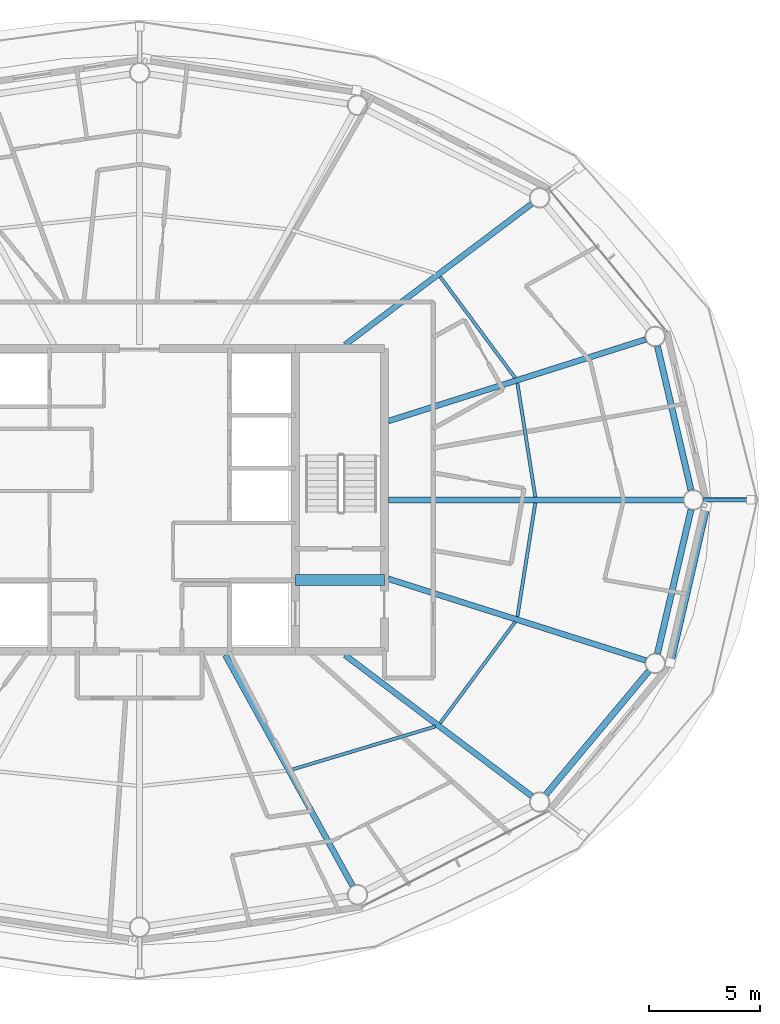
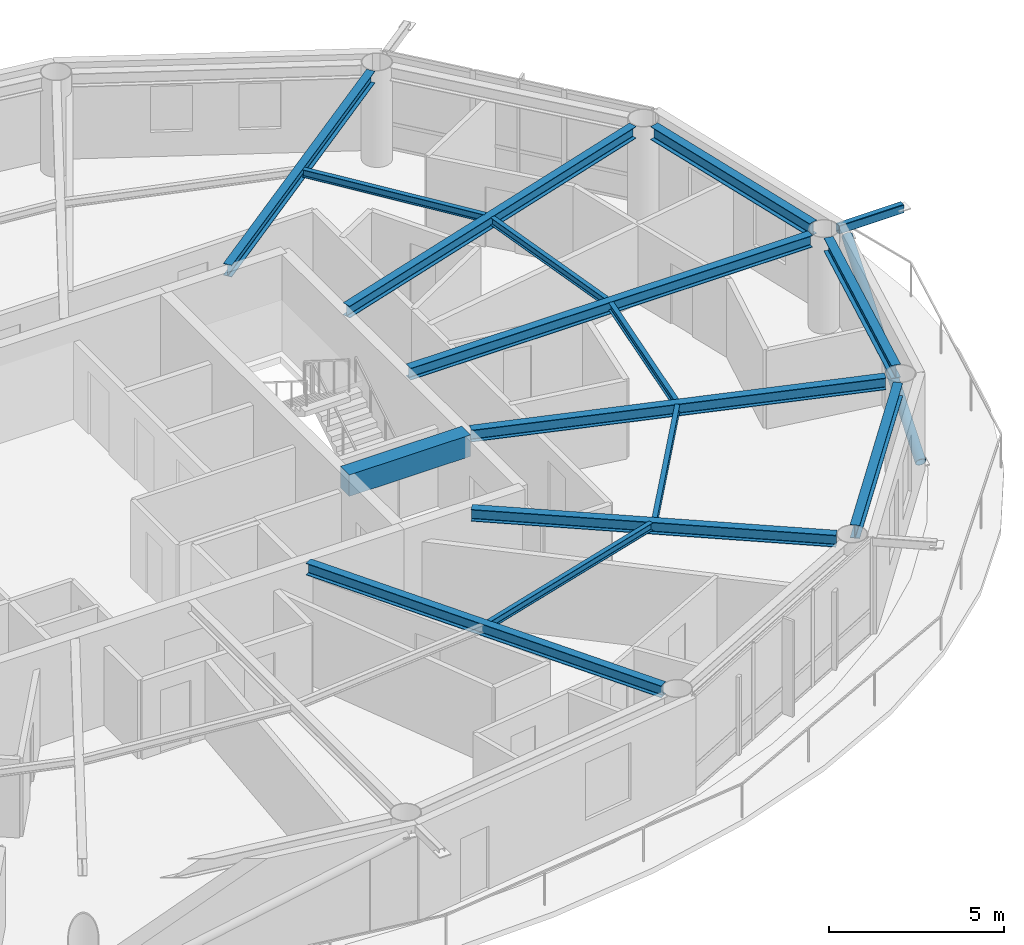
# One storey, part 6 of 22: 15 beams, 2 members.
"""IFC4 building model written with IfcOpenShell, lengths in metres."""

import ifcopenshell
import ifcopenshell.guid

model = None  # the IFC model being written
_history = None  # IfcOwnerHistory: only IFC2X3 demands one
_inside = {}  # id of a spatial element -> (the spatial element, [elements in it])
_under = {}  # id of a project, library or spatial element -> (it, [spatial elements below it])
_declared = {}  # id of a project -> (the project, [libraries it declares])
_typed = {}  # id of a type object -> (the type object, [elements of that type])
_made_of = {}  # id of a material, layer set ... -> (it, [elements and type objects made of it])


def new_model(schema):
    """Start an empty IFC model of exactly this schema.

    Asked for "IFC4X3", IfcOpenShell would pick the latest addendum, in which some entities
    have other attributes; the version numbers below select the first issue.
    IFC2X3 requires an IfcOwnerHistory on every rooted entity: one is made here for all.
    """
    global model, _history
    if schema == "IFC4X3":
        model = ifcopenshell.file(schema_version=(4, 3, 0, 0))
    else:
        model = ifcopenshell.file(schema=schema)
    _inside.clear()
    _under.clear()
    _declared.clear()
    _typed.clear()
    _made_of.clear()
    _history = None
    if model.schema == "IFC2X3":
        org = make("IfcOrganization", Name="unknown")
        user = make(
            "IfcPersonAndOrganization",
            ThePerson=make("IfcPerson", FamilyName="unknown"),
            TheOrganization=org,
        )
        app = make(
            "IfcApplication",
            ApplicationDeveloper=org,
            Version="unknown",
            ApplicationFullName="unknown",
            ApplicationIdentifier="unknown",
        )
        _history = make(
            "IfcOwnerHistory",
            OwningUser=user,
            OwningApplication=app,
            ChangeAction="ADDED",
            CreationDate=0,
        )
    return model


def make(cls, **values):
    """One entity of the class cls with the attributes given. An attribute that is None is left unset."""
    return model.create_entity(
        cls, **{name: value for name, value in values.items() if value is not None}
    )


def rooted(cls, **values):
    """An entity with a GlobalId (a new one), such as an element, a storey or a relation."""
    return make(cls, GlobalId=ifcopenshell.guid.new(), OwnerHistory=_history, **values)


def si_unit(unit_type, name, prefix=None):
    """IfcSIUnit, for example si_unit("LENGTHUNIT", "METRE", prefix="MILLI")."""
    return make("IfcSIUnit", UnitType=unit_type, Prefix=prefix, Name=name)


def assignment(units):
    """IfcUnitAssignment: the units of a project."""
    return None if units is None else make("IfcUnitAssignment", Units=units)


def point(xyz):
    """IfcCartesianPoint."""
    return None if xyz is None else make("IfcCartesianPoint", Coordinates=xyz)


def direction(xyz):
    """IfcDirection."""
    return None if xyz is None else make("IfcDirection", DirectionRatios=xyz)


def frame(location, z_axis=None, x_axis=None):
    """IfcAxis2Placement3D, a coordinate frame: its origin and axes. An axis left out is left unset."""
    return make(
        "IfcAxis2Placement3D",
        Location=point(location),
        Axis=direction(z_axis),
        RefDirection=direction(x_axis),
    )


def frame_2d(location, x_axis=None):
    """IfcAxis2Placement2D, a coordinate frame in the plane: its origin and x axis."""
    return make(
        "IfcAxis2Placement2D", Location=point(location), RefDirection=direction(x_axis)
    )


def origin():
    """The frame at (0, 0, 0) with its axes left unset."""
    return frame((0.0, 0.0, 0.0))


def origin_2d():
    """The frame at (0, 0) in the plane with its x axis left unset."""
    return frame_2d((0.0, 0.0))


def place(relative_to, where):
    """IfcLocalPlacement: puts the frame where relative to a parent placement (None: the world)."""
    return make(
        "IfcLocalPlacement", PlacementRelTo=relative_to, RelativePlacement=where
    )


def context(
    kind, dimensions, precision=None, world=None, true_north=None, identifier=None
):
    """IfcGeometricRepresentationContext, for example the 3D "Model" context."""
    return make(
        "IfcGeometricRepresentationContext",
        ContextIdentifier=identifier,
        ContextType=kind,
        CoordinateSpaceDimension=dimensions,
        Precision=precision,
        WorldCoordinateSystem=world,
        TrueNorth=true_north,
    )


def subcontext(parent, identifier, kind, view, scale=None):
    """IfcGeometricRepresentationSubContext, for example "Body" below "Model"."""
    return make(
        "IfcGeometricRepresentationSubContext",
        ContextIdentifier=identifier,
        ContextType=kind,
        ParentContext=parent,
        TargetScale=scale,
        TargetView=view,
    )


def project(units=None, contexts=None):
    """IfcProject with its units and contexts."""
    return rooted(
        "IfcProject",
        Name="project",
        RepresentationContexts=contexts,
        UnitsInContext=assignment(units),
    )


def spatial(cls, under=None, at=None, **own):
    """A site, building, storey or space (cls), placed at a placement, below another one or the project."""
    s = rooted(cls, ObjectPlacement=at, **own)
    if under is not None:
        _under.setdefault(under.id(), (under, []))[1].append(s)
    return s


def profile(cls, at=None, kind="AREA", **sizes):
    """A parametric profile (cls). Its sizes go by their IFC names, for example OverallWidth=200.0."""
    return make(cls, ProfileType=kind, Position=at, **sizes)


def rectangle(**sizes):
    """IfcRectangleProfileDef."""
    return profile("IfcRectangleProfileDef", **sizes)


def hollow_rectangle(**sizes):
    """IfcRectangleHollowProfileDef."""
    return profile("IfcRectangleHollowProfileDef", **sizes)


def hollow_circle(**sizes):
    """IfcCircleHollowProfileDef."""
    return profile("IfcCircleHollowProfileDef", **sizes)


def i_section(**sizes):
    """IfcIShapeProfileDef."""
    return profile("IfcIShapeProfileDef", **sizes)


def extrude(swept, where, along, depth):
    """IfcExtrudedAreaSolid: the profile swept, set in the frame where, extruded along a direction by depth."""
    return make(
        "IfcExtrudedAreaSolid",
        SweptArea=swept,
        Position=where,
        ExtrudedDirection=direction(along),
        Depth=depth,
    )


def shape(context_of_items, identifier, shape_type, items):
    """IfcShapeRepresentation: the items that make up one representation, for example the "Body"."""
    return make(
        "IfcShapeRepresentation",
        ContextOfItems=context_of_items,
        RepresentationIdentifier=identifier,
        RepresentationType=shape_type,
        Items=items,
    )


def material(Name=None, Category=None):
    """IfcMaterial."""
    return make("IfcMaterial", Name=Name, Category=Category)


def material_profile(
    of_material, cross_section, Name=None, Category=None, Priority=None
):
    """IfcMaterialProfile: a cross section and its material."""
    return make(
        "IfcMaterialProfile",
        Name=Name,
        Material=of_material,
        Profile=cross_section,
        Priority=Priority,
        Category=Category,
    )


def profile_set(profiles, Name=None, composite=None):
    """IfcMaterialProfileSet."""
    return make(
        "IfcMaterialProfileSet",
        Name=Name,
        MaterialProfiles=profiles,
        CompositeProfile=composite,
    )


def made_of(thing, what):
    """Note that an element or type object is made of a material, layer set ...; save() writes the relation."""
    if what is not None:
        _made_of.setdefault(what.id(), (what, []))[1].append(thing)
    return thing


def type_object(cls, material=None, **own):
    """A type object (cls), such as IfcWallType, which elements share."""
    return made_of(rooted(cls, **own), material)


def element(
    cls,
    number,
    at=None,
    inside=None,
    cuts=None,
    type_object=None,
    material=None,
    context=None,
    identifier="Body",
    shape_type=None,
    held_by="IfcProductDefinitionShape",
    body=None,
    shapes=None,
    **own,
):
    """One element of the class cls, such as IfcWall. Its Tag is "e" and its number.

    at: its placement. inside: the storey or other place that contains it. cuts: it is an
    opening in that element (IfcRelVoidsElement). A single representation is given by context,
    identifier, shape_type and body (its items); several are given by shapes. held_by: the class
    of the entity that holds the representations. save() writes the other relations.
    """
    e = rooted(cls, Tag="e%d" % number, ObjectPlacement=at, **own)
    if body is not None:
        shapes = [shape(context, identifier, shape_type, body)]
    if shapes is not None:
        e.Representation = make(held_by, Representations=shapes)
    if inside is not None:
        _inside.setdefault(inside.id(), (inside, []))[1].append(e)
    if cuts is not None:
        rooted(
            "IfcRelVoidsElement", RelatingBuildingElement=cuts, RelatedOpeningElement=e
        )
    if type_object is not None:
        _typed.setdefault(type_object.id(), (type_object, []))[1].append(e)
    return made_of(e, material)


def aggregate(whole, parts):
    """IfcRelAggregates: a whole, such as a stair, and the parts it consists of."""
    return rooted("IfcRelAggregates", RelatingObject=whole, RelatedObjects=parts)


def save(model, path):
    """Write the relations noted so far, then the file.

    IfcRelAggregates (storeys below a building ...), IfcRelContainedInSpatialStructure (elements
    in a storey), IfcRelDefinesByType, IfcRelAssociatesMaterial and IfcRelDeclares: one each for
    every whole, place, type object, material and project.
    """
    for whole, parts in _under.values():
        aggregate(whole, parts)
    for where, things in _inside.values():
        rooted(
            "IfcRelContainedInSpatialStructure",
            RelatedElements=things,
            RelatingStructure=where,
        )
    for kind, things in _typed.values():
        rooted("IfcRelDefinesByType", RelatedObjects=things, RelatingType=kind)
    for what, things in _made_of.values():
        rooted("IfcRelAssociatesMaterial", RelatedObjects=things, RelatingMaterial=what)
    for by, libraries in _declared.values():
        rooted("IfcRelDeclares", RelatingContext=by, RelatedDefinitions=libraries)
    model.write(path)


model = new_model("IFC4")

# Units and contexts
model_context = context("Model", 3, precision=1e-05, world=origin(), true_north=direction((0.0, 1.0)))
body_context = subcontext(model_context, "Body", "Model", "MODEL_VIEW")
ifc_project = project(units=[si_unit("LENGTHUNIT", "METRE"), si_unit("AREAUNIT", "SQUARE_METRE"), si_unit("VOLUMEUNIT", "CUBIC_METRE"), si_unit("PLANEANGLEUNIT", "RADIAN"), si_unit("MASSUNIT", "GRAM", prefix="KILO")], contexts=[model_context])

# Site, building, storey
site_placement = place(None, origin())
site = spatial("IfcSite", under=ifc_project, at=site_placement, CompositionType="ELEMENT")
building_placement = place(site_placement, origin())
building = spatial("IfcBuilding", under=site, at=building_placement, Name="Sarneth Arch Tower", CompositionType="ELEMENT")
storey_placement = place(building_placement, frame((0.0, 0.0, 294.60009765625)))
storey = spatial("IfcBuildingStorey", under=building, at=storey_placement, Name="L76", CompositionType="ELEMENT", Elevation=294.60009765625)

# Beams
ifc_material_1 = material(Name="Steel S355", Category="steel")
ifc_material_profile_1 = material_profile(ifc_material_1, i_section(OverallWidth=0.14794921875, OverallDepth=0.26611328125, WebThickness=0.007568359375, FlangeThickness=0.012939453125, FilletRadius=0.012939453125, at=origin_2d()), Name="W250x44.8")
ifc_profile_set_1 = profile_set([ifc_material_profile_1], Name="Steel S355")
beam_type_1 = type_object("IfcBeamType", Name="BM-JOIST-250", PredefinedType="JOIST", material=ifc_profile_set_1)
beam_1_placement = place(storey_placement, frame((65.783935546875, 42.12841796875, 3.23681640625), z_axis=(-0.155556266572, 0.987827033407, 0.0), x_axis=(-0.987827033407, -0.155556266572, 0.0)))
element("IfcBeam", 1, at=beam_1_placement, inside=storey, type_object=beam_type_1, Name="L76 Secondary floor joist 01", PredefinedType="JOIST", context=body_context, shape_type="SweptSolid", body=[
    extrude(i_section(OverallWidth=0.14794921875, OverallDepth=0.26611328125, WebThickness=0.007568359375, FlangeThickness=0.012939453125, FilletRadius=0.012939453125, at=origin_2d()), origin(), (0.0, 0.0, 1.0), 5.183837890625),
])
beam_2_placement = place(storey_placement, frame((64.880126953125, 47.482177734375, 3.23681640625), z_axis=(-0.595712519616, 0.803197730309, 0.0), x_axis=(-0.803197730309, -0.595712519616, 0.0)))
element("IfcBeam", 2, at=beam_2_placement, inside=storey, type_object=beam_type_1, Name="L76 Secondary floor joist 02", PredefinedType="JOIST", context=body_context, shape_type="SweptSolid", body=[
    extrude(i_section(OverallWidth=0.14794921875, OverallDepth=0.26611328125, WebThickness=0.007568359375, FlangeThickness=0.012939453125, FilletRadius=0.012939453125, at=origin_2d()), origin(), (0.0, 0.0, 1.0), 5.669189453125),
])
beam_3_placement = place(storey_placement, frame((54.836181640625, 29.877685546875, 3.23681640625), z_axis=(0.95760703602, 0.288077705776, 0.0), x_axis=(-0.288077705776, 0.95760703602, 0.0)))
element("IfcBeam", 3, at=beam_3_placement, inside=storey, type_object=beam_type_1, Name="L76 Secondary floor joist 14", PredefinedType="JOIST", context=body_context, shape_type="SweptSolid", body=[
    extrude(i_section(OverallWidth=0.14794921875, OverallDepth=0.26611328125, WebThickness=0.007568359375, FlangeThickness=0.012939453125, FilletRadius=0.012939453125, at=origin_2d()), origin(), (0.0, 0.0, 1.0), 6.7509765625),
])
beam_4_placement = place(storey_placement, frame((61.5029296875, 31.96435546875, 3.23681640625), z_axis=(0.595712519616, 0.803197730309, 0.0), x_axis=(-0.803197730309, 0.595712519616, 0.0)))
element("IfcBeam", 4, at=beam_4_placement, inside=storey, type_object=beam_type_1, Name="L76 Secondary floor joist 15", PredefinedType="JOIST", context=body_context, shape_type="SweptSolid", body=[
    extrude(i_section(OverallWidth=0.14794921875, OverallDepth=0.26611328125, WebThickness=0.007568359375, FlangeThickness=0.012939453125, FilletRadius=0.012939453125, at=origin_2d()), origin(), (0.0, 0.0, 1.0), 5.669189453125),
])
beam_5_placement = place(storey_placement, frame((64.9775390625, 36.750732421875, 3.23681640625), z_axis=(0.155556266572, 0.987827033407, 0.0), x_axis=(-0.987827033407, 0.155556266572, 0.0)))
element("IfcBeam", 5, at=beam_5_placement, inside=storey, type_object=beam_type_1, Name="L76 Secondary floor joist 16", PredefinedType="JOIST", context=body_context, shape_type="SweptSolid", body=[
    extrude(i_section(OverallWidth=0.14794921875, OverallDepth=0.26611328125, WebThickness=0.007568359375, FlangeThickness=0.012939453125, FilletRadius=0.012939453125, at=origin_2d()), origin(), (0.0, 0.0, 1.0), 5.183837890625),
])
ifc_material_2 = material(Name="Concrete C50/60", Category="concrete")
ifc_material_profile_2 = material_profile(ifc_material_2, rectangle(XDim=0.5, YDim=0.75, at=origin_2d()), Name="RC-500x750")
ifc_profile_set_2 = profile_set([ifc_material_profile_2], Name="Concrete C50/60")
beam_type_2 = type_object("IfcBeamType", Name="BM-LINTEL-RC", PredefinedType="LINTEL", material=ifc_profile_set_2)
beam_6_placement = place(storey_placement, frame((55.0, 38.39990234375, 2.994873046875), z_axis=(1.0, 0.0, 0.0), x_axis=(0.0, 1.0, 0.0)))
element("IfcBeam", 6, at=beam_6_placement, inside=storey, type_object=beam_type_2, Name="L76 Core coupling lintel E", PredefinedType="LINTEL", context=body_context, shape_type="SweptSolid", body=[
    extrude(rectangle(XDim=0.5, YDim=0.75, at=origin_2d()), origin(), (0.0, 0.0, 1.0), 4.0),
])
ifc_material_3 = material(Name="Steel S355", Category="steel")
ifc_material_profile_3 = material_profile(ifc_material_3, i_section(OverallWidth=0.260009765625, OverallDepth=0.4150390625, WebThickness=0.010009765625, FlangeThickness=0.016845703125, FilletRadius=0.01611328125, at=origin_2d()), Name="W410x100")
ifc_profile_set_3 = profile_set([ifc_material_profile_3], Name="Steel S355")
beam_type_3 = type_object("IfcBeamType", Name="BM-RAD-410A", PredefinedType="BEAM", material=ifc_profile_set_3)
beam_7_placement = place(storey_placement, frame((59.175048828125, 42.0, 3.162353515625), z_axis=(1.0, 0.0, 0.0), x_axis=(0.0, 1.0, 0.0)))
element("IfcBeam", 7, at=beam_7_placement, inside=storey, type_object=beam_type_3, Name="L76 Radial floor girder 01", PredefinedType="BEAM", context=body_context, shape_type="SweptSolid", body=[
    extrude(i_section(OverallWidth=0.260009765625, OverallDepth=0.4150390625, WebThickness=0.010009765625, FlangeThickness=0.016845703125, FilletRadius=0.01611328125, at=origin_2d()), origin(), (0.0, 0.0, 1.0), 13.258056640625),
])
beam_8_placement = place(storey_placement, frame((59.175048828125, 45.5439453125, 3.162353515625), z_axis=(0.95321762769, 0.302284889237, 0.0), x_axis=(-0.302284889237, 0.95321762769, 0.0)))
element("IfcBeam", 8, at=beam_8_placement, inside=storey, type_object=beam_type_3, Name="L76 Radial floor girder 02", PredefinedType="BEAM", context=body_context, shape_type="SweptSolid", body=[
    extrude(i_section(OverallWidth=0.260009765625, OverallDepth=0.4150390625, WebThickness=0.010009765625, FlangeThickness=0.016845703125, FilletRadius=0.01611328125, at=origin_2d()), origin(), (0.0, 0.0, 1.0), 12.132568359375),
])
beam_9_placement = place(storey_placement, frame((57.23486328125, 48.97509765625, 3.162353515625), z_axis=(0.797981595352, 0.602681817777, 0.0), x_axis=(-0.602681817777, 0.797981595352, 0.0)))
element("IfcBeam", 9, at=beam_9_placement, inside=storey, type_object=beam_type_3, Name="L76 Radial floor girder 03", PredefinedType="BEAM", context=body_context, shape_type="SweptSolid", body=[
    extrude(i_section(OverallWidth=0.260009765625, OverallDepth=0.4150390625, WebThickness=0.010009765625, FlangeThickness=0.016845703125, FilletRadius=0.01611328125, at=origin_2d()), origin(), (0.0, 0.0, 1.0), 10.503173828125),
])
beam_10_placement = place(storey_placement, frame((51.849853515625, 35.02490234375, 3.162353515625), z_axis=(0.483229367873, -0.875493790969, 0.0), x_axis=(0.875493790969, 0.483229367873, 0.0)))
element("IfcBeam", 10, at=beam_10_placement, inside=storey, type_object=beam_type_3, Name="L76 Radial floor girder 14", PredefinedType="BEAM", context=body_context, shape_type="SweptSolid", body=[
    extrude(i_section(OverallWidth=0.260009765625, OverallDepth=0.4150390625, WebThickness=0.010009765625, FlangeThickness=0.016845703125, FilletRadius=0.01611328125, at=origin_2d()), origin(), (0.0, 0.0, 1.0), 11.843994140625),
])
beam_11_placement = place(storey_placement, frame((57.23486328125, 35.02490234375, 3.162353515625), z_axis=(0.797981595352, -0.602681817777, 0.0), x_axis=(0.602681817777, 0.797981595352, 0.0)))
element("IfcBeam", 11, at=beam_11_placement, inside=storey, type_object=beam_type_3, Name="L76 Radial floor girder 15", PredefinedType="BEAM", context=body_context, shape_type="SweptSolid", body=[
    extrude(i_section(OverallWidth=0.260009765625, OverallDepth=0.4150390625, WebThickness=0.010009765625, FlangeThickness=0.016845703125, FilletRadius=0.01611328125, at=origin_2d()), origin(), (0.0, 0.0, 1.0), 10.503173828125),
])
beam_12_placement = place(storey_placement, frame((59.175048828125, 38.4560546875, 3.162353515625), z_axis=(0.95321762769, -0.302284889237, 0.0), x_axis=(0.302284889237, 0.95321762769, 0.0)))
element("IfcBeam", 12, at=beam_12_placement, inside=storey, type_object=beam_type_3, Name="L76 Radial floor girder 16", PredefinedType="BEAM", context=body_context, shape_type="SweptSolid", body=[
    extrude(i_section(OverallWidth=0.260009765625, OverallDepth=0.4150390625, WebThickness=0.010009765625, FlangeThickness=0.016845703125, FilletRadius=0.01611328125, at=origin_2d()), origin(), (0.0, 0.0, 1.0), 12.132568359375),
])
ifc_material_4 = material(Name="Steel S355", Category="steel")
ifc_material_profile_4 = material_profile(ifc_material_4, i_section(OverallWidth=0.280029296875, OverallDepth=0.462890625, WebThickness=0.0107421875, FlangeThickness=0.017333984375, FilletRadius=0.01806640625, at=origin_2d()), Name="W460x113")
ifc_profile_set_4 = profile_set([ifc_material_profile_4], Name="Steel S355")
beam_type_4 = type_object("IfcBeamType", Name="BM-RAD-460A", PredefinedType="BEAM", material=ifc_profile_set_4)
beam_13_placement = place(storey_placement, frame((72.781005859375, 42.438232421875, 3.138427734375), z_axis=(-0.227247037844, 0.973837144389, 0.0), x_axis=(-0.973837144389, -0.227247037844, 0.0)))
element("IfcBeam", 13, at=beam_13_placement, inside=storey, type_object=beam_type_4, Name="L76 Perimeter spandrel beam 01", PredefinedType="BEAM", context=body_context, shape_type="SweptSolid", body=[
    extrude(i_section(OverallWidth=0.280029296875, OverallDepth=0.462890625, WebThickness=0.0107421875, FlangeThickness=0.017333984375, FilletRadius=0.01806640625, at=origin_2d()), origin(), (0.0, 0.0, 1.0), 6.644775390625),
])
beam_14_placement = place(storey_placement, frame((66.263427734375, 28.769287109375, 3.138427734375), z_axis=(0.640390876881, 0.768049168222, 0.0), x_axis=(-0.768049168222, 0.640390876881, 0.0)))
element("IfcBeam", 14, at=beam_14_placement, inside=storey, type_object=beam_type_4, Name="L76 Perimeter spandrel beam 15", PredefinedType="BEAM", context=body_context, shape_type="SweptSolid", body=[
    extrude(i_section(OverallWidth=0.280029296875, OverallDepth=0.462890625, WebThickness=0.0107421875, FlangeThickness=0.017333984375, FilletRadius=0.01806640625, at=origin_2d()), origin(), (0.0, 0.0, 1.0), 7.2099609375),
])
beam_15_placement = place(storey_placement, frame((71.27099609375, 35.0908203125, 3.138427734375), z_axis=(0.227247037844, 0.973837144389, 0.0), x_axis=(-0.973837144389, 0.227247037844, 0.0)))
element("IfcBeam", 15, at=beam_15_placement, inside=storey, type_object=beam_type_4, Name="L76 Perimeter spandrel beam 16", PredefinedType="BEAM", context=body_context, shape_type="SweptSolid", body=[
    extrude(i_section(OverallWidth=0.280029296875, OverallDepth=0.462890625, WebThickness=0.0107421875, FlangeThickness=0.017333984375, FilletRadius=0.01806640625, at=origin_2d()), origin(), (0.0, 0.0, 1.0), 6.644775390625),
])

# Members
ifc_material_5 = material(Name="Steel S355", Category="steel")
ifc_material_profile_5 = material_profile(ifc_material_5, hollow_rectangle(XDim=0.199951171875, YDim=0.300048828125, WallThickness=0.012451171875, InnerFilletRadius=0.018798828125, OuterFilletRadius=0.03125, at=origin_2d()), Name="RHS300x200x12.5")
ifc_profile_set_5 = profile_set([ifc_material_profile_5], Name="Steel S355")
member_type_1 = type_object("IfcMemberType", Name="MEM-CANT-STRUT", PredefinedType="STRUT", material=ifc_profile_set_5)
member_1_placement = place(storey_placement, frame((73.333251953125, 42.0, 3.2099609375), z_axis=(1.0, 0.0, 0.0), x_axis=(0.0, 1.0, 0.0)))
element("IfcMember", 16, at=member_1_placement, inside=storey, type_object=member_type_1, Name="L76 Balcony cantilever bracket 01", PredefinedType="STRUT", context=body_context, shape_type="SweptSolid", body=[
    extrude(hollow_rectangle(XDim=0.199951171875, YDim=0.300048828125, WallThickness=0.012451171875, InnerFilletRadius=0.018798828125, OuterFilletRadius=0.03125, at=origin_2d()), origin(), (0.0, 0.0, 1.0), 2.126220703125),
])
ifc_material_6 = material(Name="Steel S355", Category="steel")
ifc_material_profile_6 = material_profile(ifc_material_6, hollow_circle(Radius=0.162109375, WallThickness=0.012451171875, at=origin_2d()), Name="CHS324x12.5")
ifc_profile_set_6 = profile_set([ifc_material_profile_6], Name="Steel S355")
member_type_2 = type_object("IfcMemberType", Name="MEM-DIAG-BR3", PredefinedType="BRACE", material=ifc_profile_set_6)
member_2_placement = place(storey_placement, frame((71.851806640625, 34.6845703125, 0.02001953125), z_axis=(0.207345906073, 0.896276435764, 0.392041102347), x_axis=(-0.974268900284, 0.225388797281, 0.0)))
element("IfcMember", 17, at=member_2_placement, inside=storey, type_object=member_type_2, Name="L76 Perimeter frame diagonal 16", PredefinedType="BRACE", context=body_context, shape_type="SweptSolid", body=[
    extrude(hollow_circle(Radius=0.162109375, WallThickness=0.012451171875, at=origin_2d()), origin(), (0.0, 0.0, 1.0), 7.8359375),
])

save(model, "model.ifc")
